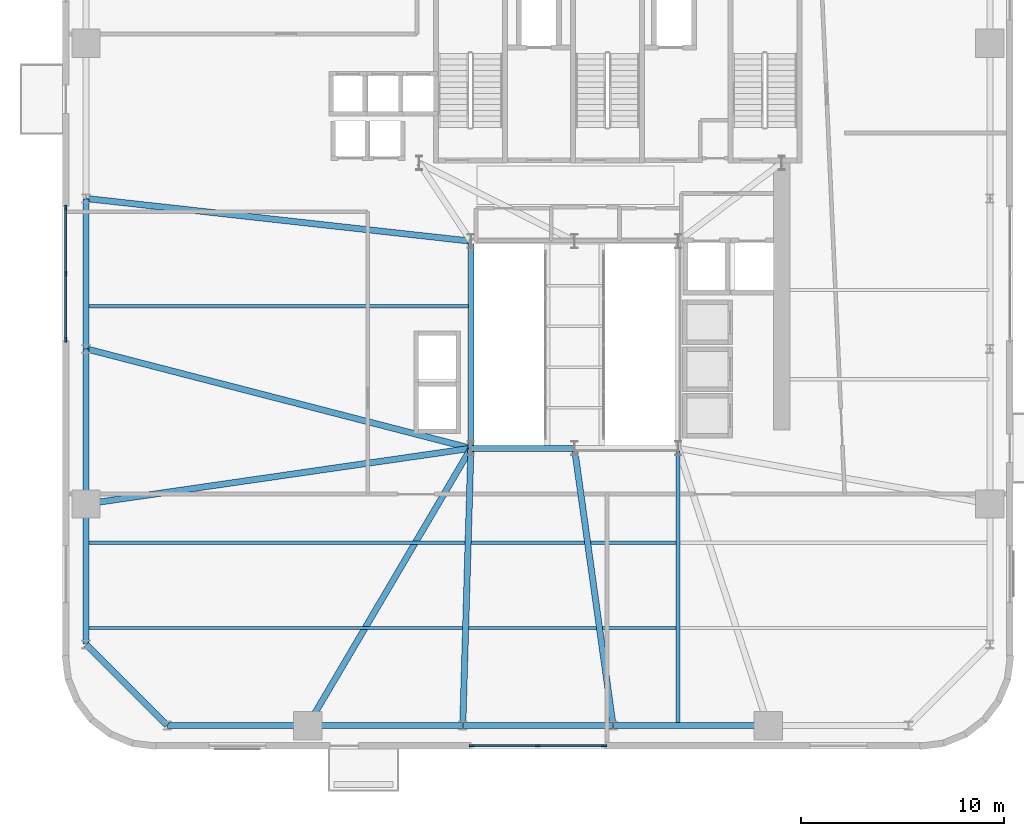
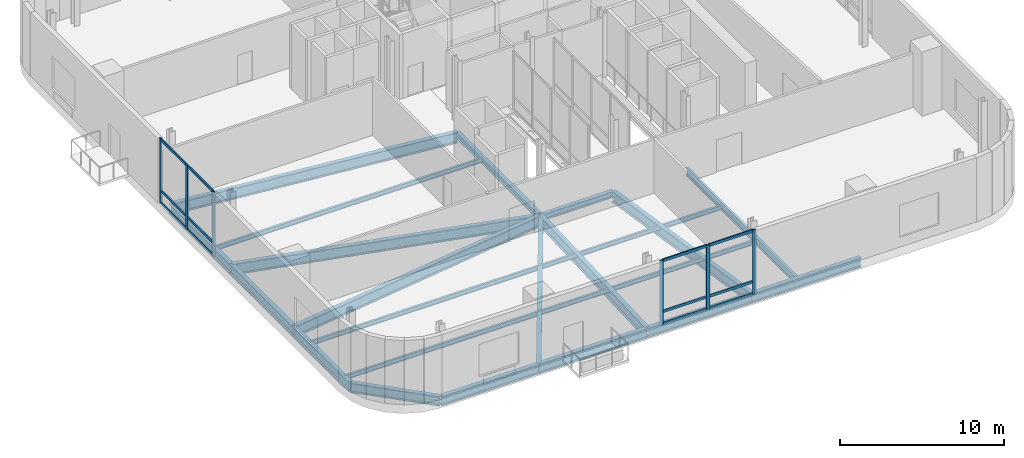
# One storey, part 3 of 14: 20 beams, 18 members, 2 elements without a shape of their own.
"""IFC4 building model written with IfcOpenShell, lengths in metres."""

from ifc_helpers import new_model, si_unit, direction, frame, origin, origin_2d, place, context, subcontext, project, spatial, rectangle, i_section, extrude, source, transform, mapped, material, material_profile, profile_set, type_object, element, aggregate, save


model = new_model("IFC4")

# Units and contexts
model_context = context("Model", 3, precision=1e-05, world=origin(), true_north=direction((0.0, 1.0)))
body_context = subcontext(model_context, "Body", "Model", "MODEL_VIEW")
ifc_project = project(units=[si_unit("LENGTHUNIT", "METRE"), si_unit("AREAUNIT", "SQUARE_METRE"), si_unit("VOLUMEUNIT", "CUBIC_METRE"), si_unit("PLANEANGLEUNIT", "RADIAN"), si_unit("MASSUNIT", "GRAM", prefix="KILO")], contexts=[model_context])

# Site, building, storey
site_placement = place(None, origin())
site = spatial("IfcSite", under=ifc_project, at=site_placement, CompositionType="ELEMENT")
building_placement = place(site_placement, origin())
building = spatial("IfcBuilding", under=site, at=building_placement, Name="Vardaveli Station Tower", CompositionType="ELEMENT")
storey_placement = place(building_placement, frame((0.0, 0.0, 172.199951171875)))
storey = spatial("IfcBuildingStorey", under=building, at=storey_placement, Name="L44", CompositionType="ELEMENT", Elevation=172.199951171875)

# Beams
ifc_material_1 = material(Name="Structural steel S355J2", Category="steel")
ifc_material_profile_1 = material_profile(ifc_material_1, i_section(OverallWidth=0.300048828125, OverallDepth=0.449951171875, WebThickness=0.013916015625, FlangeThickness=0.02587890625, FilletRadius=0.027099609375, at=origin_2d()), Name="HEB 450")
ifc_profile_set_1 = profile_set([ifc_material_profile_1], Name="Structural steel S355J2")
beam_type_1 = type_object("IfcBeamType", Name="BM-HEB450", PredefinedType="BEAM", material=ifc_profile_set_1)
shared_shape_1 = source(origin(), body_context, "Body", "SweptSolid", [
    extrude(i_section(OverallWidth=0.300048828125, OverallDepth=0.449951171875, WebThickness=0.013916015625, FlangeThickness=0.02587890625, FilletRadius=0.027099609375, at=origin_2d()), origin(), (0.0, 0.0, 1.0), 5.06005859375),
])
beam_1_placement = place(storey_placement, frame((31.219970703125, 16.60009765625, -0.875), z_axis=(1.0, 0.0, 0.0), x_axis=(0.0, 1.0, 0.0)))
element("IfcBeam", 1, at=beam_1_placement, inside=storey, type_object=beam_type_1, Name="ABM-L44-01", PredefinedType="BEAM", context=body_context, shape_type="MappedRepresentation", body=[
    mapped(shared_shape_1, transform((0.0, 0.0, 0.0), scale=1.0)),
])
shared_shape_2 = source(origin(), body_context, "Body", "SweptSolid", [
    extrude(i_section(OverallWidth=0.300048828125, OverallDepth=0.449951171875, WebThickness=0.013916015625, FlangeThickness=0.02587890625, FilletRadius=0.027099609375, at=origin_2d()), origin(), (0.0, 0.0, 1.0), 10.159912109375),
])
beam_2_placement = place(storey_placement, frame((31.199951171875, 26.780029296875, -0.875), z_axis=(0.0, -1.0, 0.0), x_axis=(1.0, 0.0, 0.0)))
element("IfcBeam", 2, at=beam_2_placement, inside=storey, type_object=beam_type_1, Name="ABM-L44-06", PredefinedType="BEAM", context=body_context, shape_type="MappedRepresentation", body=[
    mapped(shared_shape_2, transform((0.0, 0.0, 0.0), scale=1.0)),
])
ifc_material_profile_2 = material_profile(ifc_material_1, i_section(OverallWidth=0.2099609375, OverallDepth=0.550048828125, WebThickness=0.010986328125, FlangeThickness=0.01708984375, FilletRadius=0.02392578125, at=origin_2d()), Name="IPE 550")
ifc_profile_set_2 = profile_set([ifc_material_profile_2], Name="Structural steel S355J2")
beam_type_2 = type_object("IfcBeamType", Name="BM-IPE550", PredefinedType="BEAM", material=ifc_profile_set_2)
shared_shape_3 = source(origin(), body_context, "Body", "SweptSolid", [
    extrude(i_section(OverallWidth=0.2099609375, OverallDepth=0.550048828125, WebThickness=0.010986328125, FlangeThickness=0.01708984375, FilletRadius=0.02392578125, at=origin_2d()), origin(), (0.0, 0.0, 1.0), 13.469970703125),
])
beam_3_placement = place(storey_placement, frame((41.39990234375, 2.989990234375, -0.925048828125), z_axis=(0.0, 1.0, 0.0), x_axis=(-1.0, 0.0, 0.0)))
element("IfcBeam", 3, at=beam_3_placement, inside=storey, type_object=beam_type_2, Name="NSM-L44-S2", PredefinedType="BEAM", context=body_context, shape_type="MappedRepresentation", body=[
    mapped(shared_shape_3, transform((0.0, 0.0, 0.0), scale=1.0)),
])
ifc_material_2 = material(Name="Structural steel S460M", Category="steel")
ifc_material_profile_3 = material_profile(ifc_material_2, i_section(OverallWidth=0.303955078125, OverallDepth=0.716064453125, WebThickness=0.02099609375, FlangeThickness=0.0400390625, FilletRadius=0.027099609375, at=origin_2d()), Name="HEM 700")
ifc_profile_set_3 = profile_set([ifc_material_profile_3], Name="Structural steel S460M")
beam_type_3 = type_object("IfcBeamType", Name="BM-HEM700", PredefinedType="BEAM", material=ifc_profile_set_3)
shared_shape_4 = source(origin(), body_context, "Body", "SweptSolid", [
    extrude(i_section(OverallWidth=0.303955078125, OverallDepth=0.716064453125, WebThickness=0.02099609375, FlangeThickness=0.0400390625, FilletRadius=0.027099609375, at=origin_2d()), origin(), (0.0, 0.0, 1.0), 7.60009765625),
])
for number, where, z_axis, x_axis, name in (
    (4, (23.179931640625, 2.949951171875, -1.008056640625), (1.0, 0.0, 0.0), (0.0, 1.0, 0.0), "RBM-L44-01"),
    (5, (38.219970703125, 2.949951171875, -1.008056640625), (1.0, 0.0, 0.0), (0.0, 1.0, 0.0), "RBM-L44-03"),
    (6, (12.25, 21.47998046875, -1.008056640625), (0.0, -1.0, 0.0), (1.0, 0.0, 0.0), "RBM-L44-21"),
):
    element("IfcBeam", number, at=place(storey_placement, frame(where, z_axis=z_axis, x_axis=x_axis)), inside=storey, type_object=beam_type_3, Name=name, PredefinedType="BEAM", context=body_context, shape_type="MappedRepresentation", body=[
        mapped(shared_shape_4, transform((0.0, 0.0, 0.0), scale=1.0)),
    ])
shared_shape_5 = source(origin(), body_context, "Body", "SweptSolid", [
    extrude(i_section(OverallWidth=0.303955078125, OverallDepth=0.716064453125, WebThickness=0.02099609375, FlangeThickness=0.0400390625, FilletRadius=0.027099609375, at=origin_2d()), origin(), (0.0, 0.0, 1.0), 7.35986328125),
])
for number, where, z_axis, x_axis, name in (
    (7, (30.820068359375, 2.949951171875, -1.008056640625), (1.0, 0.0, 0.0), (0.0, 1.0, 0.0), "RBM-L44-02"),
    (8, (12.25, 28.8798828125, -1.008056640625), (0.0, -1.0, 0.0), (1.0, 0.0, 0.0), "RBM-L44-20"),
):
    element("IfcBeam", number, at=place(storey_placement, frame(where, z_axis=z_axis, x_axis=x_axis)), inside=storey, type_object=beam_type_3, Name=name, PredefinedType="BEAM", context=body_context, shape_type="MappedRepresentation", body=[
        mapped(shared_shape_5, transform((0.0, 0.0, 0.0), scale=1.0)),
    ])
shared_shape_6 = source(origin(), body_context, "Body", "SweptSolid", [
    extrude(i_section(OverallWidth=0.303955078125, OverallDepth=0.716064453125, WebThickness=0.02099609375, FlangeThickness=0.0400390625, FilletRadius=0.027099609375, at=origin_2d()), origin(), (0.0, 0.0, 1.0), 6.869873046875),
])
beam_4_placement = place(storey_placement, frame((16.27001953125, 2.949951171875, -1.008056640625), z_axis=(1.0, 0.0, 0.0), x_axis=(0.0, 1.0, 0.0)))
element("IfcBeam", 9, at=beam_4_placement, inside=storey, type_object=beam_type_3, Name="RBM-L44-24", PredefinedType="BEAM", context=body_context, shape_type="MappedRepresentation", body=[
    mapped(shared_shape_6, transform((0.0, 0.0, 0.0), scale=1.0)),
])
shared_shape_7 = source(origin(), body_context, "Body", "SweptSolid", [
    extrude(i_section(OverallWidth=0.303955078125, OverallDepth=0.716064453125, WebThickness=0.02099609375, FlangeThickness=0.0400390625, FilletRadius=0.027099609375, at=origin_2d()), origin(), (0.0, 0.0, 1.0), 5.61669921875),
])
beam_5_placement = place(storey_placement, frame((12.26416015625, 6.935791015625, -1.008056640625), z_axis=(0.707106781187, -0.707106781187, 0.0), x_axis=(0.707106781187, 0.707106781187, 0.0)))
element("IfcBeam", 10, at=beam_5_placement, inside=storey, type_object=beam_type_3, Name="RBM-L44-23", PredefinedType="BEAM", context=body_context, shape_type="MappedRepresentation", body=[
    mapped(shared_shape_7, transform((0.0, 0.0, 0.0), scale=1.0)),
])
shared_shape_8 = source(origin(), body_context, "Body", "SweptSolid", [
    extrude(i_section(OverallWidth=0.303955078125, OverallDepth=0.716064453125, WebThickness=0.02099609375, FlangeThickness=0.0400390625, FilletRadius=0.027099609375, at=origin_2d()), origin(), (0.0, 0.0, 1.0), 6.8701171875),
])
beam_6_placement = place(storey_placement, frame((12.25, 13.840087890625, -1.008056640625), z_axis=(0.0, -1.0, 0.0), x_axis=(1.0, 0.0, 0.0)))
element("IfcBeam", 11, at=beam_6_placement, inside=storey, type_object=beam_type_3, Name="RBM-L44-22", PredefinedType="BEAM", context=body_context, shape_type="MappedRepresentation", body=[
    mapped(shared_shape_8, transform((0.0, 0.0, 0.0), scale=1.0)),
])
ifc_material_profile_4 = material_profile(ifc_material_2, i_section(OverallWidth=0.305908203125, OverallDepth=0.81396484375, WebThickness=0.02099609375, FlangeThickness=0.0400390625, FilletRadius=0.027099609375, at=origin_2d()), Name="HEM 800")
ifc_profile_set_4 = profile_set([ifc_material_profile_4], Name="Structural steel S460M")
beam_type_4 = type_object("IfcBeamType", Name="BM-HEM800", PredefinedType="BEAM", material=ifc_profile_set_4)
shared_shape_9 = source(origin(), body_context, "Body", "SweptSolid", [
    extrude(i_section(OverallWidth=0.305908203125, OverallDepth=0.81396484375, WebThickness=0.02099609375, FlangeThickness=0.0400390625, FilletRadius=0.027099609375, at=origin_2d()), origin(), (0.0, 0.0, 1.0), 15.8017578125),
])
beam_7_placement = place(storey_placement, frame((23.170166015625, 2.96728515625, -1.056884765625), z_axis=(0.507521713546, 0.86163896748, 0.0), x_axis=(-0.86163896748, 0.507521713546, 0.0)))
element("IfcBeam", 12, at=beam_7_placement, inside=storey, type_object=beam_type_4, Name="GBM-L44-01", PredefinedType="BEAM", context=body_context, shape_type="MappedRepresentation", body=[
    mapped(shared_shape_9, transform((0.0, 0.0, 0.0), scale=1.0)),
])
shared_shape_10 = source(origin(), body_context, "Body", "SweptSolid", [
    extrude(i_section(OverallWidth=0.305908203125, OverallDepth=0.81396484375, WebThickness=0.02099609375, FlangeThickness=0.0400390625, FilletRadius=0.027099609375, at=origin_2d()), origin(), (0.0, 0.0, 1.0), 13.615966796875),
])
beam_8_placement = place(storey_placement, frame((30.800537109375, 2.969970703125, -1.056884765625), z_axis=(0.029298411379, 0.9995707094, 0.0), x_axis=(-0.9995707094, 0.029298411379, 0.0)))
element("IfcBeam", 13, at=beam_8_placement, inside=storey, type_object=beam_type_4, Name="GBM-L44-02", PredefinedType="BEAM", context=body_context, shape_type="MappedRepresentation", body=[
    mapped(shared_shape_10, transform((0.0, 0.0, 0.0), scale=1.0)),
])
shared_shape_11 = source(origin(), body_context, "Body", "SweptSolid", [
    extrude(i_section(OverallWidth=0.305908203125, OverallDepth=0.81396484375, WebThickness=0.02099609375, FlangeThickness=0.0400390625, FilletRadius=0.027099609375, at=origin_2d()), origin(), (0.0, 0.0, 1.0), 13.741455078125),
])
beam_9_placement = place(storey_placement, frame((38.197265625, 2.9697265625, -1.056884765625), z_axis=(-0.137868554024, 0.990450534762, 0.0), x_axis=(-0.990450534762, -0.137868554024, 0.0)))
element("IfcBeam", 14, at=beam_9_placement, inside=storey, type_object=beam_type_4, Name="GBM-L44-03", PredefinedType="BEAM", context=body_context, shape_type="MappedRepresentation", body=[
    mapped(shared_shape_11, transform((0.0, 0.0, 0.0), scale=1.0)),
])
shared_shape_12 = source(origin(), body_context, "Body", "SweptSolid", [
    extrude(i_section(OverallWidth=0.305908203125, OverallDepth=0.81396484375, WebThickness=0.02099609375, FlangeThickness=0.0400390625, FilletRadius=0.027099609375, at=origin_2d()), origin(), (0.0, 0.0, 1.0), 19.026123046875),
])
beam_10_placement = place(storey_placement, frame((12.269775390625, 28.897705078125, -1.056884765625), z_axis=(0.993916552721, -0.110135762707, 0.0), x_axis=(0.110135762707, 0.993916552721, 0.0)))
element("IfcBeam", 15, at=beam_10_placement, inside=storey, type_object=beam_type_4, Name="GBM-L44-08", PredefinedType="BEAM", context=body_context, shape_type="MappedRepresentation", body=[
    mapped(shared_shape_12, transform((0.0, 0.0, 0.0), scale=1.0)),
])
shared_shape_13 = source(origin(), body_context, "Body", "SweptSolid", [
    extrude(i_section(OverallWidth=0.305908203125, OverallDepth=0.81396484375, WebThickness=0.02099609375, FlangeThickness=0.0400390625, FilletRadius=0.027099609375, at=origin_2d()), origin(), (0.0, 0.0, 1.0), 19.533447265625),
])
beam_11_placement = place(storey_placement, frame((12.269287109375, 21.494873046875, -1.056884765625), z_axis=(0.968159081778, -0.250335759272, 0.0), x_axis=(0.250335759272, 0.968159081778, 0.0)))
element("IfcBeam", 16, at=beam_11_placement, inside=storey, type_object=beam_type_4, Name="GBM-L44-09", PredefinedType="BEAM", context=body_context, shape_type="MappedRepresentation", body=[
    mapped(shared_shape_13, transform((0.0, 0.0, 0.0), scale=1.0)),
])
shared_shape_14 = source(origin(), body_context, "Body", "SweptSolid", [
    extrude(i_section(OverallWidth=0.305908203125, OverallDepth=0.81396484375, WebThickness=0.02099609375, FlangeThickness=0.0400390625, FilletRadius=0.027099609375, at=origin_2d()), origin(), (0.0, 0.0, 1.0), 19.107177734375),
])
beam_12_placement = place(storey_placement, frame((12.269775390625, 13.86279296875, -1.056884765625), z_axis=(0.989707072711, 0.143108036903, 0.0), x_axis=(-0.143108036903, 0.989707072711, 0.0)))
element("IfcBeam", 17, at=beam_12_placement, inside=storey, type_object=beam_type_4, Name="GBM-L44-10", PredefinedType="BEAM", context=body_context, shape_type="MappedRepresentation", body=[
    mapped(shared_shape_14, transform((0.0, 0.0, 0.0), scale=1.0)),
])
ifc_material_profile_5 = material_profile(ifc_material_1, i_section(OverallWidth=0.159912109375, OverallDepth=0.330078125, WebThickness=0.007568359375, FlangeThickness=0.011474609375, FilletRadius=0.01806640625, at=origin_2d()), Name="IPE 330")
ifc_profile_set_5 = profile_set([ifc_material_profile_5], Name="Structural steel S355J2")
beam_type_5 = type_object("IfcBeamType", Name="BM-IPE330", PredefinedType="JOIST", material=ifc_profile_set_5)
shared_shape_15 = source(origin(), body_context, "Body", "SweptSolid", [
    extrude(i_section(OverallWidth=0.159912109375, OverallDepth=0.330078125, WebThickness=0.007568359375, FlangeThickness=0.011474609375, FilletRadius=0.01806640625, at=origin_2d()), origin(), (0.0, 0.0, 1.0), 28.998046875),
])
for number, where, z_axis, x_axis, name in (
    (18, (12.2900390625, 7.75, -0.81494140625), (1.0, 0.0, 0.0), (0.0, 1.0, 0.0), "SJ-L44-S01"),
    (19, (12.2900390625, 11.949951171875, -0.81494140625), (1.0, 0.0, 0.0), (0.0, 1.0, 0.0), "SJ-L44-S03"),
):
    element("IfcBeam", number, at=place(storey_placement, frame(where, z_axis=z_axis, x_axis=x_axis)), inside=storey, type_object=beam_type_5, Name=name, PredefinedType="JOIST", context=body_context, shape_type="MappedRepresentation", body=[
        mapped(shared_shape_15, transform((0.0, 0.0, 0.0), scale=1.0)),
    ])
shared_shape_16 = source(origin(), body_context, "Body", "SweptSolid", [
    extrude(i_section(OverallWidth=0.159912109375, OverallDepth=0.330078125, WebThickness=0.007568359375, FlangeThickness=0.011474609375, FilletRadius=0.01806640625, at=origin_2d()), origin(), (0.0, 0.0, 1.0), 18.7978515625),
])
beam_13_placement = place(storey_placement, frame((12.2900390625, 23.60009765625, -0.81494140625), z_axis=(1.0, 0.0, 0.0), x_axis=(0.0, 1.0, 0.0)))
element("IfcBeam", 20, at=beam_13_placement, inside=storey, type_object=beam_type_5, Name="SJ-L44-W06", PredefinedType="JOIST", context=body_context, shape_type="MappedRepresentation", body=[
    mapped(shared_shape_16, transform((0.0, 0.0, 0.0), scale=1.0)),
])

# Curtain wall, members
ifc_material_3 = material(Name="Travertine stone and solar-control glass", Category="masonry")
curtain_wall_type = type_object("IfcCurtainWallType", Name="CW-SYS-3", PredefinedType="NOTDEFINED", material=ifc_material_3)
curtain_wall_1_placement = place(storey_placement, origin())
curtain_wall_1 = element("IfcCurtainWall", 21, at=curtain_wall_1_placement, inside=storey, type_object=curtain_wall_type, Name="CW-L44-S", PredefinedType="NOTDEFINED")
ifc_material_4 = material(Name="Anodised aluminium alloy 6063-T6", Category="aluminium")
ifc_material_profile_6 = material_profile(ifc_material_4, rectangle(XDim=0.090087890625, YDim=0.199951171875, at=origin_2d()), Name="CWT 90x200")
ifc_profile_set_6 = profile_set([ifc_material_profile_6], Name="Anodised aluminium alloy 6063-T6")
member_type_1 = type_object("IfcMemberType", Name="CW-SYS-3-TRAN", PredefinedType="NOTDEFINED", material=ifc_profile_set_6)
shared_shape_17 = source(origin(), body_context, "Body", "SweptSolid", [
    extrude(rectangle(XDim=0.090087890625, YDim=0.199951171875, at=origin_2d()), origin(), (0.0, 0.0, 1.0), 3.1650390625),
])
member_1_placement = place(storey_placement, frame((31.2900390625, 1.9599609375, 0.045166015625), z_axis=(1.0, 0.0, 0.0), x_axis=(0.0, 1.0, 0.0)))
member_1 = element("IfcMember", 22, at=member_1_placement, type_object=member_type_1, Name="CW-3 transom 1.1", ObjectType="TRANSOM", PredefinedType="USERDEFINED", context=body_context, shape_type="MappedRepresentation", body=[
    mapped(shared_shape_17, transform((0.0, 0.0, 0.0), scale=1.0)),
])
member_2_placement = place(storey_placement, frame((31.2900390625, 1.9599609375, 0.949951171875), z_axis=(1.0, 0.0, 0.0), x_axis=(0.0, 1.0, 0.0)))
member_2 = element("IfcMember", 23, at=member_2_placement, type_object=member_type_1, Name="CW-3 transom 1.2", ObjectType="TRANSOM", PredefinedType="USERDEFINED", context=body_context, shape_type="MappedRepresentation", body=[
    mapped(shared_shape_17, transform((0.0, 0.0, 0.0), scale=1.0)),
])
member_3_placement = place(storey_placement, frame((31.2900390625, 1.9599609375, 4.735107421875), z_axis=(1.0, 0.0, 0.0), x_axis=(0.0, 1.0, 0.0)))
member_3 = element("IfcMember", 24, at=member_3_placement, type_object=member_type_1, Name="CW-3 transom 1.3", ObjectType="TRANSOM", PredefinedType="USERDEFINED", context=body_context, shape_type="MappedRepresentation", body=[
    mapped(shared_shape_17, transform((0.0, 0.0, 0.0), scale=1.0)),
])
member_4_placement = place(storey_placement, frame((34.544921875, 1.9599609375, 0.045166015625), z_axis=(1.0, 0.0, 0.0), x_axis=(0.0, 1.0, 0.0)))
member_4 = element("IfcMember", 25, at=member_4_placement, type_object=member_type_1, Name="CW-3 transom 2.1", ObjectType="TRANSOM", PredefinedType="USERDEFINED", context=body_context, shape_type="MappedRepresentation", body=[
    mapped(shared_shape_17, transform((0.0, 0.0, 0.0), scale=1.0)),
])
member_5_placement = place(storey_placement, frame((34.544921875, 1.9599609375, 0.949951171875), z_axis=(1.0, 0.0, 0.0), x_axis=(0.0, 1.0, 0.0)))
member_5 = element("IfcMember", 26, at=member_5_placement, type_object=member_type_1, Name="CW-3 transom 2.2", ObjectType="TRANSOM", PredefinedType="USERDEFINED", context=body_context, shape_type="MappedRepresentation", body=[
    mapped(shared_shape_17, transform((0.0, 0.0, 0.0), scale=1.0)),
])
member_6_placement = place(storey_placement, frame((34.544921875, 1.9599609375, 4.735107421875), z_axis=(1.0, 0.0, 0.0), x_axis=(0.0, 1.0, 0.0)))
member_6 = element("IfcMember", 27, at=member_6_placement, type_object=member_type_1, Name="CW-3 transom 2.3", ObjectType="TRANSOM", PredefinedType="USERDEFINED", context=body_context, shape_type="MappedRepresentation", body=[
    mapped(shared_shape_17, transform((0.0, 0.0, 0.0), scale=1.0)),
])

curtain_wall_2_placement = place(storey_placement, origin())
curtain_wall_2 = element("IfcCurtainWall", 28, at=curtain_wall_2_placement, inside=storey, type_object=curtain_wall_type, Name="CW-L44-W", PredefinedType="NOTDEFINED")
member_7_placement = place(storey_placement, frame((11.260009765625, 25.155029296875, 0.045166015625), z_axis=(0.0, -1.0, 0.0), x_axis=(1.0, 0.0, 0.0)))
member_7 = element("IfcMember", 29, at=member_7_placement, type_object=member_type_1, Name="CW-3 transom 2.1", ObjectType="TRANSOM", PredefinedType="USERDEFINED", context=body_context, shape_type="MappedRepresentation", body=[
    mapped(shared_shape_17, transform((0.0, 0.0, 0.0), scale=1.0)),
])
member_8_placement = place(storey_placement, frame((11.260009765625, 25.155029296875, 0.949951171875), z_axis=(0.0, -1.0, 0.0), x_axis=(1.0, 0.0, 0.0)))
member_8 = element("IfcMember", 30, at=member_8_placement, type_object=member_type_1, Name="CW-3 transom 2.2", ObjectType="TRANSOM", PredefinedType="USERDEFINED", context=body_context, shape_type="MappedRepresentation", body=[
    mapped(shared_shape_17, transform((0.0, 0.0, 0.0), scale=1.0)),
])
member_9_placement = place(storey_placement, frame((11.260009765625, 25.155029296875, 4.735107421875), z_axis=(0.0, -1.0, 0.0), x_axis=(1.0, 0.0, 0.0)))
member_9 = element("IfcMember", 31, at=member_9_placement, type_object=member_type_1, Name="CW-3 transom 2.3", ObjectType="TRANSOM", PredefinedType="USERDEFINED", context=body_context, shape_type="MappedRepresentation", body=[
    mapped(shared_shape_17, transform((0.0, 0.0, 0.0), scale=1.0)),
])
shared_shape_18 = source(origin(), body_context, "Body", "SweptSolid", [
    extrude(rectangle(XDim=0.090087890625, YDim=0.199951171875, at=origin_2d()), origin(), (0.0, 0.0, 1.0), 3.164794921875),
])
member_10_placement = place(storey_placement, frame((11.260009765625, 28.409912109375, 0.045166015625), z_axis=(0.0, -1.0, 0.0), x_axis=(1.0, 0.0, 0.0)))
member_10 = element("IfcMember", 32, at=member_10_placement, type_object=member_type_1, Name="CW-3 transom 1.1", ObjectType="TRANSOM", PredefinedType="USERDEFINED", context=body_context, shape_type="MappedRepresentation", body=[
    mapped(shared_shape_18, transform((0.0, 0.0, 0.0), scale=1.0)),
])
member_11_placement = place(storey_placement, frame((11.260009765625, 28.409912109375, 0.949951171875), z_axis=(0.0, -1.0, 0.0), x_axis=(1.0, 0.0, 0.0)))
member_11 = element("IfcMember", 33, at=member_11_placement, type_object=member_type_1, Name="CW-3 transom 1.2", ObjectType="TRANSOM", PredefinedType="USERDEFINED", context=body_context, shape_type="MappedRepresentation", body=[
    mapped(shared_shape_18, transform((0.0, 0.0, 0.0), scale=1.0)),
])
member_12_placement = place(storey_placement, frame((11.260009765625, 28.409912109375, 4.735107421875), z_axis=(0.0, -1.0, 0.0), x_axis=(1.0, 0.0, 0.0)))
member_12 = element("IfcMember", 34, at=member_12_placement, type_object=member_type_1, Name="CW-3 transom 1.3", ObjectType="TRANSOM", PredefinedType="USERDEFINED", context=body_context, shape_type="MappedRepresentation", body=[
    mapped(shared_shape_18, transform((0.0, 0.0, 0.0), scale=1.0)),
])

# Member
ifc_material_profile_7 = material_profile(ifc_material_4, rectangle(XDim=0.090087890625, YDim=0.25, at=origin_2d()), Name="CWM 90x250")
ifc_profile_set_7 = profile_set([ifc_material_profile_7], Name="Anodised aluminium alloy 6063-T6")
member_type_2 = type_object("IfcMemberType", Name="CW-SYS-3-MULL", PredefinedType="MULLION", material=ifc_profile_set_7)
shared_shape_19 = source(origin(), body_context, "Body", "SweptSolid", [
    extrude(rectangle(XDim=0.090087890625, YDim=0.25, at=origin_2d()), origin(), (0.0, 0.0, 1.0), 4.780029296875),
])
member_13_placement = place(storey_placement, frame((31.2451171875, 1.9599609375, 0.0), z_axis=(0.0, 0.0, 1.0), x_axis=(0.0, 1.0, 0.0)))
member_13 = element("IfcMember", 35, at=member_13_placement, type_object=member_type_2, Name="CW-3 mullion 1", PredefinedType="MULLION", context=body_context, shape_type="MappedRepresentation", body=[
    mapped(shared_shape_19, transform((0.0, 0.0, 0.0), scale=1.0)),
])

member_14_placement = place(storey_placement, frame((34.5, 1.9599609375, 0.0), z_axis=(0.0, 0.0, 1.0), x_axis=(0.0, 1.0, 0.0)))
member_14 = element("IfcMember", 36, at=member_14_placement, type_object=member_type_2, Name="CW-3 mullion 2", PredefinedType="MULLION", context=body_context, shape_type="MappedRepresentation", body=[
    mapped(shared_shape_19, transform((0.0, 0.0, 0.0), scale=1.0)),
])

member_15_placement = place(storey_placement, frame((37.7548828125, 1.9599609375, 0.0), z_axis=(0.0, 0.0, 1.0), x_axis=(0.0, 1.0, 0.0)))
member_15 = element("IfcMember", 37, at=member_15_placement, type_object=member_type_2, Name="CW-3 mullion 3", PredefinedType="MULLION", context=body_context, shape_type="MappedRepresentation", body=[
    mapped(shared_shape_19, transform((0.0, 0.0, 0.0), scale=1.0)),
])

aggregate(curtain_wall_1, [member_13, member_14, member_15, member_1, member_2, member_3, member_4, member_5, member_6])

member_16_placement = place(storey_placement, frame((11.260009765625, 28.455078125, 0.0), z_axis=(0.0, 0.0, 1.0), x_axis=(1.0, 0.0, 0.0)))
member_16 = element("IfcMember", 38, at=member_16_placement, type_object=member_type_2, Name="CW-3 mullion 1", PredefinedType="MULLION", context=body_context, shape_type="MappedRepresentation", body=[
    mapped(shared_shape_19, transform((0.0, 0.0, 0.0), scale=1.0)),
])

member_17_placement = place(storey_placement, frame((11.260009765625, 25.199951171875, 0.0), z_axis=(0.0, 0.0, 1.0), x_axis=(1.0, 0.0, 0.0)))
member_17 = element("IfcMember", 39, at=member_17_placement, type_object=member_type_2, Name="CW-3 mullion 2", PredefinedType="MULLION", context=body_context, shape_type="MappedRepresentation", body=[
    mapped(shared_shape_19, transform((0.0, 0.0, 0.0), scale=1.0)),
])

member_18_placement = place(storey_placement, frame((11.260009765625, 21.945068359375, 0.0), z_axis=(0.0, 0.0, 1.0), x_axis=(1.0, 0.0, 0.0)))
member_18 = element("IfcMember", 40, at=member_18_placement, type_object=member_type_2, Name="CW-3 mullion 3", PredefinedType="MULLION", context=body_context, shape_type="MappedRepresentation", body=[
    mapped(shared_shape_19, transform((0.0, 0.0, 0.0), scale=1.0)),
])

aggregate(curtain_wall_2, [member_16, member_17, member_18, member_10, member_11, member_12, member_7, member_8, member_9])

save(model, "model.ifc")
